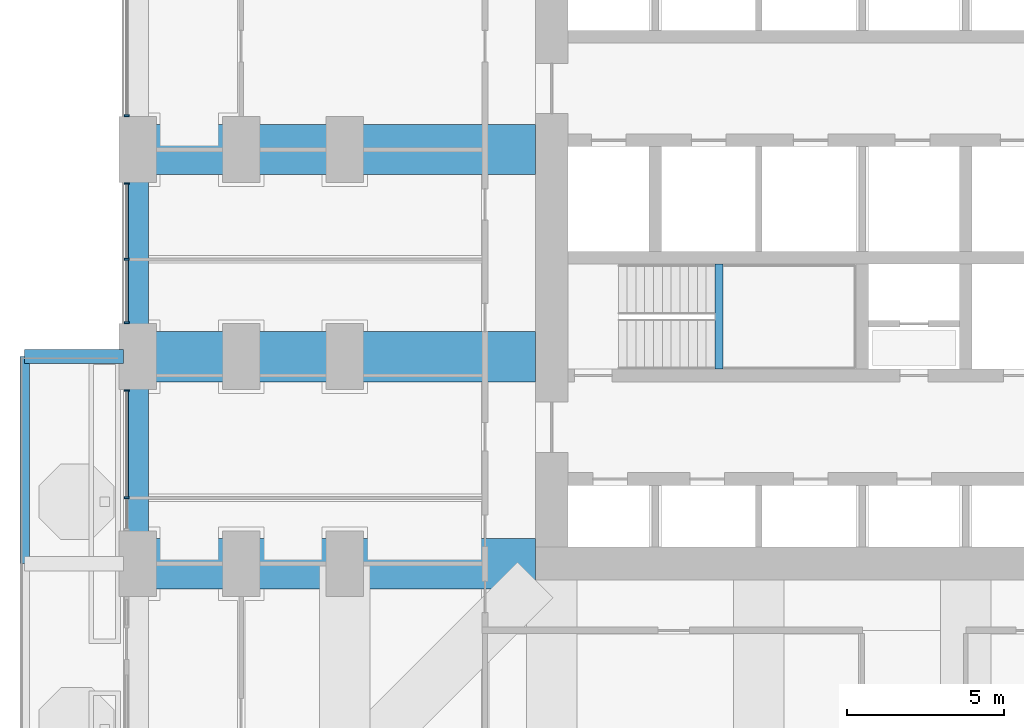
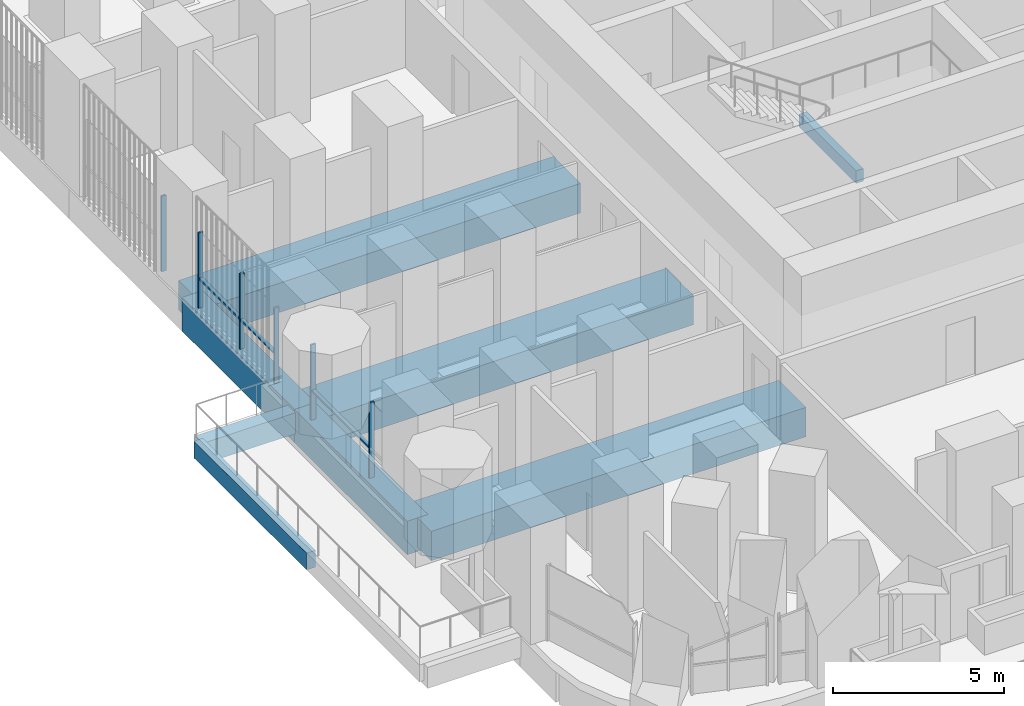
# One storey, part 4 of 27: 9 members, 8 beams, 3 elements without a shape of their own.
"""IFC4 building model written with IfcOpenShell, lengths in metres."""

from ifc_helpers import new_model, si_unit, direction, frame, origin, origin_2d, place, context, subcontext, project, spatial, rectangle, extrude, material, material_profile, profile_set, type_object, element, aggregate, save


model = new_model("IFC4")

# Units and contexts
model_context = context("Model", 3, precision=1e-05, world=origin(), true_north=direction((0.0, 1.0)))
body_context = subcontext(model_context, "Body", "Model", "MODEL_VIEW")
ifc_project = project(units=[si_unit("LENGTHUNIT", "METRE"), si_unit("AREAUNIT", "SQUARE_METRE"), si_unit("VOLUMEUNIT", "CUBIC_METRE"), si_unit("PLANEANGLEUNIT", "RADIAN"), si_unit("MASSUNIT", "GRAM", prefix="KILO")], contexts=[model_context])

# Site, building, storey
site_placement = place(None, origin())
site = spatial("IfcSite", under=ifc_project, at=site_placement, CompositionType="ELEMENT")
building_placement = place(site_placement, origin())
building = spatial("IfcBuilding", under=site, at=building_placement, Name="Cobogo Forest Laboratory Tower", CompositionType="ELEMENT")
storey_placement = place(building_placement, frame((0.0, 0.0, 54.89990234375)))
storey = spatial("IfcBuildingStorey", under=building, at=storey_placement, Name="L12", CompositionType="ELEMENT", Elevation=54.89990234375)

# Beams
ifc_material_1 = material(Name="Concrete HA-40 (C40/50)", Category="concrete")
ifc_material_profile_1 = material_profile(ifc_material_1, rectangle(XDim=0.449951171875, YDim=0.75, at=origin_2d()), Name="RC 450x750")
ifc_profile_set_1 = profile_set([ifc_material_profile_1], Name="Concrete HA-40 (C40/50)")
beam_type_1 = type_object("IfcBeamType", Name="Balcony cantilever beam 450x750", PredefinedType="BEAM", material=ifc_profile_set_1)
beam_1_placement = place(storey_placement, frame((-0.449951171875, 19.800048828125, -0.625), z_axis=(-1.0, 0.0, 0.0), x_axis=(0.0, -1.0, 0.0)))
element("IfcBeam", 1, at=beam_1_placement, inside=storey, type_object=beam_type_1, Name="CB1 BAL-W1-C3 L12", PredefinedType="BEAM", context=body_context, shape_type="SweptSolid", body=[
    extrude(rectangle(XDim=0.449951171875, YDim=0.75, at=origin_2d()), origin(), (0.0, 0.0, 1.0), 3.150146484375),
])
ifc_material_profile_2 = material_profile(ifc_material_1, rectangle(XDim=0.300048828125, YDim=0.60009765625, at=origin_2d()), Name="RC 300x600")
ifc_profile_set_2 = profile_set([ifc_material_profile_2], Name="Concrete HA-40 (C40/50)")
beam_type_2 = type_object("IfcBeamType", Name="Balcony edge beam 300x600", PredefinedType="BEAM", material=ifc_profile_set_2)
beam_2_placement = place(storey_placement, frame((-3.60009765625, 13.199951171875, -0.5498046875), z_axis=(0.0, 1.0, 0.0), x_axis=(-1.0, 0.0, 0.0)))
element("IfcBeam", 2, at=beam_2_placement, inside=storey, type_object=beam_type_2, Name="BB1 BAL-W1-T2 L12", PredefinedType="BEAM", context=body_context, shape_type="SweptSolid", body=[
    extrude(rectangle(XDim=0.300048828125, YDim=0.60009765625, at=origin_2d()), origin(), (0.0, 0.0, 1.0), 6.60009765625),
])
ifc_material_profile_3 = material_profile(ifc_material_1, rectangle(XDim=0.25, YDim=0.449951171875, at=origin_2d()), Name="RC 250x450")
ifc_profile_set_3 = profile_set([ifc_material_profile_3], Name="Concrete HA-40 (C40/50)")
beam_type_3 = type_object("IfcBeamType", Name="LB1 landing beam 250x450", PredefinedType="BEAM", material=ifc_profile_set_3)
beam_3_placement = place(storey_placement, frame((18.530029296875, 19.39990234375, 1.675048828125), z_axis=(0.0, 1.0, 0.0), x_axis=(-1.0, 0.0, 0.0)))
element("IfcBeam", 3, at=beam_3_placement, inside=storey, type_object=beam_type_3, Name="Landing beam ST1 L12", PredefinedType="BEAM", context=body_context, shape_type="SweptSolid", body=[
    extrude(rectangle(XDim=0.25, YDim=0.449951171875, at=origin_2d()), origin(), (0.0, 0.0, 1.0), 3.35009765625),
])
ifc_material_2 = material(Name="Concrete HA-50 (C50/60)", Category="concrete")
ifc_material_profile_4 = material_profile(ifc_material_2, rectangle(XDim=1.60009765625, YDim=1.050048828125, at=origin_2d()), Name="RC 1600x1050")
ifc_profile_set_4 = profile_set([ifc_material_profile_4], Name="Concrete HA-50 (C50/60)")
beam_type_4 = type_object("IfcBeamType", Name="Laboratory floor wide beam 1600x1050", PredefinedType="BEAM", material=ifc_profile_set_4)
for number, where, z_axis, x_axis, name in (
    (4, (12.675048828125, 13.199951171875, -0.824951171875), (-1.0, 0.0, 0.0), (0.0, -1.0, 0.0), "RB8 R-C-W L12"),
    (5, (12.675048828125, 19.800048828125, -0.824951171875), (-1.0, 0.0, 0.0), (0.0, -1.0, 0.0), "RB8 R-D-W L12"),
    (6, (12.675048828125, 26.39990234375, -0.824951171875), (-1.0, 0.0, 0.0), (0.0, -1.0, 0.0), "RB8 R-E-W L12"),
):
    element("IfcBeam", number, at=place(storey_placement, frame(where, z_axis=z_axis, x_axis=x_axis)), inside=storey, type_object=beam_type_4, Name=name, PredefinedType="BEAM", context=body_context, shape_type="SweptSolid", body=[
        extrude(rectangle(XDim=1.60009765625, YDim=1.050048828125, at=origin_2d()), origin(), (0.0, 0.0, 1.0), 12.675048828125),
    ])

# Curtain wall, member
ifc_material_3 = material(Name="Aluminium curtain wall", Category="aluminium")
curtain_wall_type = type_object("IfcCurtainWallType", Name="CW-1 unitised curtain wall, clear glazing, laboratory floors zones A and B", PredefinedType="USERDEFINED", material=ifc_material_3)
curtain_wall_1_placement = place(storey_placement, origin())
curtain_wall_1 = element("IfcCurtainWall", 7, at=curtain_wall_1_placement, inside=storey, type_object=curtain_wall_type, Name="Curtain wall 28 L12", ObjectType="UNITISED CURTAIN WALL", PredefinedType="USERDEFINED")
ifc_material_4 = material(Name="Aluminium mullion", Category="aluminium")
ifc_material_profile_5 = material_profile(ifc_material_4, rectangle(XDim=0.06005859375, YDim=0.159912109375, at=origin_2d()), Name="AL 60x160")
ifc_profile_set_5 = profile_set([ifc_material_profile_5], Name="Aluminium mullion")
member_type_1 = type_object("IfcMemberType", Name="MU-1 aluminium mullion 60x160", PredefinedType="MULLION", material=ifc_profile_set_5)
member_1_placement = place(storey_placement, frame((-0.35009765625, 27.47998046875, 0.0), z_axis=(0.0, 0.0, 1.0), x_axis=(0.0, -1.0, 0.0)))
member_1 = element("IfcMember", 8, at=member_1_placement, type_object=member_type_1, Name="CW-1 mullion 2", PredefinedType="MULLION", context=body_context, shape_type="SweptSolid", body=[
    extrude(rectangle(XDim=0.06005859375, YDim=0.159912109375, at=origin_2d()), origin(), (0.0, 0.0, 1.0), 2.7001953125),
])
aggregate(curtain_wall_1, [member_1])

# Curtain wall, members
curtain_wall_2_placement = place(storey_placement, origin())
curtain_wall_2 = element("IfcCurtainWall", 9, at=curtain_wall_2_placement, inside=storey, type_object=curtain_wall_type, Name="Curtain wall 29 L12", ObjectType="UNITISED CURTAIN WALL", PredefinedType="USERDEFINED")
member_2_placement = place(storey_placement, frame((-0.35009765625, 25.320068359375, 0.0), z_axis=(0.0, 0.0, 1.0), x_axis=(0.0, -1.0, 0.0)))
member_2 = element("IfcMember", 10, at=member_2_placement, type_object=member_type_1, Name="CW-1 mullion 1", PredefinedType="MULLION", context=body_context, shape_type="SweptSolid", body=[
    extrude(rectangle(XDim=0.06005859375, YDim=0.159912109375, at=origin_2d()), origin(), (0.0, 0.0, 1.0), 2.7001953125),
])
member_3_placement = place(storey_placement, frame((-0.35009765625, 22.89990234375, 0.0), z_axis=(0.0, 0.0, 1.0), x_axis=(0.0, -1.0, 0.0)))
member_3 = element("IfcMember", 11, at=member_3_placement, type_object=member_type_1, Name="CW-1 mullion 2", PredefinedType="MULLION", context=body_context, shape_type="SweptSolid", body=[
    extrude(rectangle(XDim=0.06005859375, YDim=0.159912109375, at=origin_2d()), origin(), (0.0, 0.0, 1.0), 2.7001953125),
])
member_4_placement = place(storey_placement, frame((-0.35009765625, 20.8798828125, 0.0), z_axis=(0.0, 0.0, 1.0), x_axis=(0.0, -1.0, 0.0)))
member_4 = element("IfcMember", 12, at=member_4_placement, type_object=member_type_1, Name="CW-1 mullion 3", PredefinedType="MULLION", context=body_context, shape_type="SweptSolid", body=[
    extrude(rectangle(XDim=0.06005859375, YDim=0.159912109375, at=origin_2d()), origin(), (0.0, 0.0, 1.0), 2.7001953125),
])

curtain_wall_3_placement = place(storey_placement, origin())
curtain_wall_3 = element("IfcCurtainWall", 13, at=curtain_wall_3_placement, inside=storey, type_object=curtain_wall_type, Name="Curtain wall 30 L12", ObjectType="UNITISED CURTAIN WALL", PredefinedType="USERDEFINED")
member_5_placement = place(storey_placement, frame((-0.35009765625, 18.719970703125, 0.0), z_axis=(0.0, 0.0, 1.0), x_axis=(0.0, -1.0, 0.0)))
member_5 = element("IfcMember", 14, at=member_5_placement, type_object=member_type_1, Name="CW-1 mullion 1", PredefinedType="MULLION", context=body_context, shape_type="SweptSolid", body=[
    extrude(rectangle(XDim=0.06005859375, YDim=0.159912109375, at=origin_2d()), origin(), (0.0, 0.0, 1.0), 2.7001953125),
])
member_6_placement = place(storey_placement, frame((-0.35009765625, 15.300048828125, 0.0), z_axis=(0.0, 0.0, 1.0), x_axis=(0.0, -1.0, 0.0)))
member_6 = element("IfcMember", 15, at=member_6_placement, type_object=member_type_1, Name="CW-1 mullion 2", PredefinedType="MULLION", context=body_context, shape_type="SweptSolid", body=[
    extrude(rectangle(XDim=0.06005859375, YDim=0.159912109375, at=origin_2d()), origin(), (0.0, 0.0, 1.0), 2.7001953125),
])

# Beams
ifc_material_profile_6 = material_profile(ifc_material_1, rectangle(XDim=0.699951171875, YDim=1.199951171875, at=origin_2d()), Name="RC 700x1200")
ifc_profile_set_6 = profile_set([ifc_material_profile_6], Name="Concrete HA-40 (C40/50)")
beam_type_5 = type_object("IfcBeamType", Name="Perimeter edge beam 700x1200", PredefinedType="BEAM", material=ifc_profile_set_6)
beam_4_placement = place(storey_placement, frame((0.0, 13.199951171875, -0.89990234375), z_axis=(0.0, 1.0, 0.0), x_axis=(-1.0, 0.0, 0.0)))
element("IfcBeam", 16, at=beam_4_placement, inside=storey, type_object=beam_type_5, Name="EB1 E-W2 L12", PredefinedType="BEAM", context=body_context, shape_type="SweptSolid", body=[
    extrude(rectangle(XDim=0.699951171875, YDim=1.199951171875, at=origin_2d()), origin(), (0.0, 0.0, 1.0), 6.60009765625),
])
beam_5_placement = place(storey_placement, frame((0.0, 19.800048828125, -0.89990234375), z_axis=(0.0, 1.0, 0.0), x_axis=(-1.0, 0.0, 0.0)))
element("IfcBeam", 17, at=beam_5_placement, inside=storey, type_object=beam_type_5, Name="EB1 E-W3 L12", PredefinedType="BEAM", context=body_context, shape_type="SweptSolid", body=[
    extrude(rectangle(XDim=0.699951171875, YDim=1.199951171875, at=origin_2d()), origin(), (0.0, 0.0, 1.0), 6.599853515625),
])

# Member
ifc_material_5 = material(Name="Aluminium transom", Category="aluminium")
ifc_material_profile_7 = material_profile(ifc_material_5, rectangle(XDim=0.1201171875, YDim=0.06005859375, at=origin_2d()), Name="AL 60x120")
ifc_profile_set_7 = profile_set([ifc_material_profile_7], Name="Aluminium transom")
member_type_2 = type_object("IfcMemberType", Name="TR-1 aluminium transom 60x120", PredefinedType="USERDEFINED", material=ifc_profile_set_7)
member_7_placement = place(storey_placement, frame((-0.35009765625, 25.2900390625, 1.050048828125), z_axis=(0.0, -1.0, 0.0), x_axis=(1.0, 0.0, 0.0)))
member_7 = element("IfcMember", 18, at=member_7_placement, type_object=member_type_2, Name="CW-1 transom 1.1", ObjectType="TRANSOM", PredefinedType="USERDEFINED", context=body_context, shape_type="SweptSolid", body=[
    extrude(rectangle(XDim=0.1201171875, YDim=0.06005859375, at=origin_2d()), origin(), (0.0, 0.0, 1.0), 2.360107421875),
])

member_8_placement = place(storey_placement, frame((-0.35009765625, 22.8701171875, 1.050048828125), z_axis=(0.0, -1.0, 0.0), x_axis=(1.0, 0.0, 0.0)))
member_8 = element("IfcMember", 19, at=member_8_placement, type_object=member_type_2, Name="CW-1 transom 2.1", ObjectType="TRANSOM", PredefinedType="USERDEFINED", context=body_context, shape_type="SweptSolid", body=[
    extrude(rectangle(XDim=0.1201171875, YDim=0.06005859375, at=origin_2d()), origin(), (0.0, 0.0, 1.0), 1.960205078125),
])

aggregate(curtain_wall_2, [member_2, member_3, member_4, member_7, member_8])

member_9_placement = place(storey_placement, frame((-0.35009765625, 18.68994140625, 1.050048828125), z_axis=(0.0, -1.0, 0.0), x_axis=(1.0, 0.0, 0.0)))
member_9 = element("IfcMember", 20, at=member_9_placement, type_object=member_type_2, Name="CW-1 transom 1.1", ObjectType="TRANSOM", PredefinedType="USERDEFINED", context=body_context, shape_type="SweptSolid", body=[
    extrude(rectangle(XDim=0.1201171875, YDim=0.06005859375, at=origin_2d()), origin(), (0.0, 0.0, 1.0), 3.35986328125),
])

aggregate(curtain_wall_3, [member_5, member_6, member_9])

save(model, "model.ifc")
